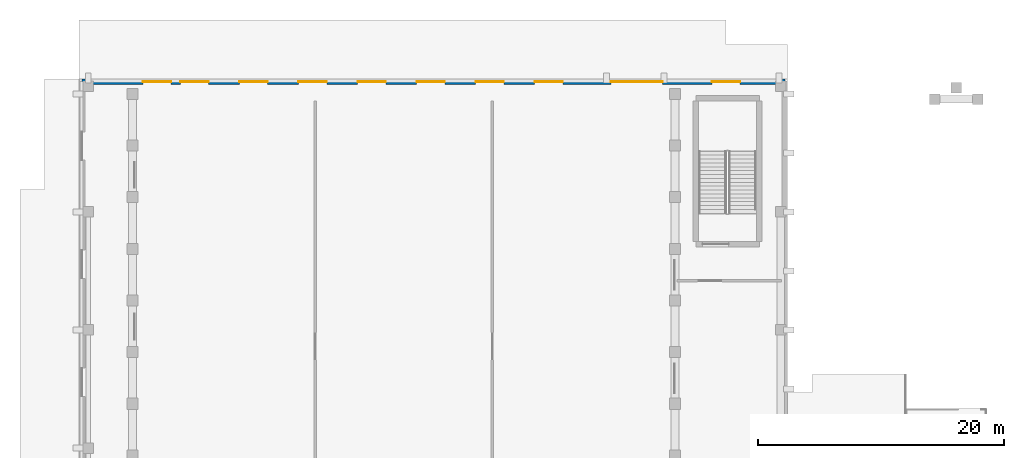
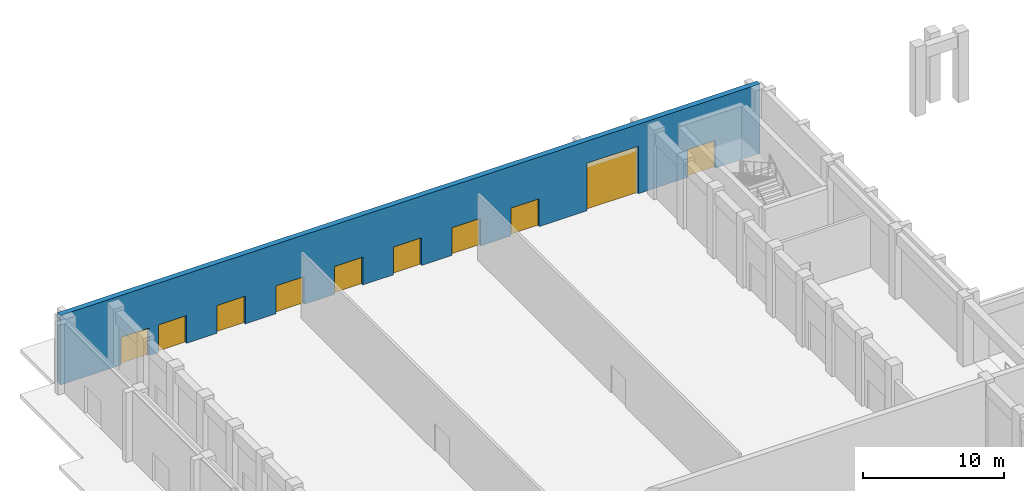
# One storey, part 51 of 87: 10 doors, 1 wall, 10 openings.
"""IFC4 building model written with IfcOpenShell, lengths in metres."""

from ifc_helpers import new_model, si_unit, direction, frame, frame_2d, origin, place, context, subcontext, project, spatial, rectangle, extrude, material, layer, layer_set, type_object, element, fill, save


model = new_model("IFC4")

# Units and contexts
model_context = context("Model", 3, precision=1e-05, world=origin(), true_north=direction((0.0, 1.0)))
body_context = subcontext(model_context, "Body", "Model", "MODEL_VIEW")
ifc_project = project(units=[si_unit("LENGTHUNIT", "METRE"), si_unit("AREAUNIT", "SQUARE_METRE"), si_unit("VOLUMEUNIT", "CUBIC_METRE"), si_unit("PLANEANGLEUNIT", "RADIAN"), si_unit("MASSUNIT", "GRAM", prefix="KILO")], contexts=[model_context])

# Site, building, storey
site_placement = place(None, origin())
site = spatial("IfcSite", under=ifc_project, at=site_placement, CompositionType="ELEMENT")
building_placement = place(site_placement, origin())
building = spatial("IfcBuilding", under=site, at=building_placement, Name="Nakhvara Creek Congress Hotel", CompositionType="ELEMENT")
storey_placement = place(building_placement, origin())
storey = spatial("IfcBuildingStorey", under=building, at=storey_placement, Name="L00", CompositionType="ELEMENT", Elevation=0.0)

# Wall, openings, doors
ifc_material_1 = material(Name="Honed pale Omani limestone cladding", Category="masonry")
ifc_layer_1 = layer(ifc_material_1, 0.050048828125)
ifc_material_2 = material(Name="Mineral wool thermal insulation")
ifc_layer_2 = layer(ifc_material_2, 0.110107421875)
ifc_material_3 = material(Name="Precast concrete C40/50", Category="concrete")
ifc_layer_3 = layer(ifc_material_3, 0.280029296875)
ifc_layer_set = layer_set([ifc_layer_1, ifc_layer_2, ifc_layer_3], Name="Precast concrete C40/50")
wall_type = type_object("IfcWallType", Name="W-BALL-440", PredefinedType="SOLIDWALL", material=ifc_layer_set)
wall_placement = place(storey_placement, frame((0.239990234375, 125.780029296875, 0.0), z_axis=(0.0, 0.0, 1.0), x_axis=(1.0, 0.0, 0.0)))
wall = element("IfcWall", 1, at=wall_placement, inside=storey, type_object=wall_type, Name="Exterior Wall WE02-EW-L00-0025", PredefinedType="SOLIDWALL", context=body_context, shape_type="SweptSolid", body=[
    extrude(rectangle(XDim=57.139892578125, YDim=0.43994140625, at=frame_2d((28.56982421875, 0.0))), origin(), (0.0, 0.0, 1.0), 6.0),
])
opening_1_placement = place(wall_placement, frame((4.949951171875, 0.0, 0.0)))
opening_1 = element("IfcOpeningElement", 2, at=opening_1_placement, cuts=wall, Name="Opening E12", PredefinedType="OPENING", context=body_context, shape_type="SweptSolid", body=[
    extrude(rectangle(XDim=2.300048828125, YDim=2.39990234375, at=frame_2d((1.14990234375, 1.199951171875))), frame((0.0, 0.23193359375, 0.0), z_axis=(0.0, -1.0, 0.0), x_axis=(1.0, 0.0, 0.0)), (0.0, 0.0, 1.0), 0.4638671875),
])
opening_2_placement = place(wall_placement, frame((8.0, 0.0, 0.0)))
opening_2 = element("IfcOpeningElement", 3, at=opening_2_placement, cuts=wall, Name="Opening E13", PredefinedType="OPENING", context=body_context, shape_type="SweptSolid", body=[
    extrude(rectangle(XDim=2.300048828125, YDim=2.39990234375, at=frame_2d((1.14990234375, 1.199951171875))), frame((0.0, 0.23193359375, 0.0), z_axis=(0.0, -1.0, 0.0), x_axis=(1.0, 0.0, 0.0)), (0.0, 0.0, 1.0), 0.4638671875),
])
opening_3_placement = place(wall_placement, frame((12.800048828125, 0.0, 0.0)))
opening_3 = element("IfcOpeningElement", 4, at=opening_3_placement, cuts=wall, Name="Opening E14", PredefinedType="OPENING", context=body_context, shape_type="SweptSolid", body=[
    extrude(rectangle(XDim=2.300048828125, YDim=2.39990234375, at=frame_2d((1.14990234375, 1.199951171875))), frame((0.0, 0.23193359375, 0.0), z_axis=(0.0, -1.0, 0.0), x_axis=(1.0, 0.0, 0.0)), (0.0, 0.0, 1.0), 0.4638671875),
])
opening_4_placement = place(wall_placement, frame((17.60009765625, 0.0, 0.0)))
opening_4 = element("IfcOpeningElement", 5, at=opening_4_placement, cuts=wall, Name="Opening E15", PredefinedType="OPENING", context=body_context, shape_type="SweptSolid", body=[
    extrude(rectangle(XDim=2.300048828125, YDim=2.39990234375, at=frame_2d((1.14990234375, 1.199951171875))), frame((0.0, 0.23193359375, 0.0), z_axis=(0.0, -1.0, 0.0), x_axis=(1.0, 0.0, 0.0)), (0.0, 0.0, 1.0), 0.4638671875),
])
opening_5_placement = place(wall_placement, frame((22.39990234375, 0.0, 0.0)))
opening_5 = element("IfcOpeningElement", 6, at=opening_5_placement, cuts=wall, Name="Opening E16", PredefinedType="OPENING", context=body_context, shape_type="SweptSolid", body=[
    extrude(rectangle(XDim=2.300048828125, YDim=2.39990234375, at=frame_2d((1.14990234375, 1.199951171875))), frame((0.0, 0.23193359375, 0.0), z_axis=(0.0, -1.0, 0.0), x_axis=(1.0, 0.0, 0.0)), (0.0, 0.0, 1.0), 0.4638671875),
])
opening_6_placement = place(wall_placement, frame((27.199951171875, 0.0, 0.0)))
opening_6 = element("IfcOpeningElement", 7, at=opening_6_placement, cuts=wall, Name="Opening E17", PredefinedType="OPENING", context=body_context, shape_type="SweptSolid", body=[
    extrude(rectangle(XDim=2.300048828125, YDim=2.39990234375, at=frame_2d((1.14990234375, 1.199951171875))), frame((0.0, 0.23193359375, 0.0), z_axis=(0.0, -1.0, 0.0), x_axis=(1.0, 0.0, 0.0)), (0.0, 0.0, 1.0), 0.4638671875),
])
opening_7_placement = place(wall_placement, frame((32.0, 0.0, 0.0)))
opening_7 = element("IfcOpeningElement", 8, at=opening_7_placement, cuts=wall, Name="Opening E18", PredefinedType="OPENING", context=body_context, shape_type="SweptSolid", body=[
    extrude(rectangle(XDim=2.300048828125, YDim=2.39990234375, at=frame_2d((1.14990234375, 1.199951171875))), frame((0.0, 0.23193359375, 0.0), z_axis=(0.0, -1.0, 0.0), x_axis=(1.0, 0.0, 0.0)), (0.0, 0.0, 1.0), 0.4638671875),
])
opening_8_placement = place(wall_placement, frame((36.800048828125, 0.0, 0.0)))
opening_8 = element("IfcOpeningElement", 9, at=opening_8_placement, cuts=wall, Name="Opening E19", PredefinedType="OPENING", context=body_context, shape_type="SweptSolid", body=[
    extrude(rectangle(XDim=2.300048828125, YDim=2.39990234375, at=frame_2d((1.14990234375, 1.199951171875))), frame((0.0, 0.23193359375, 0.0), z_axis=(0.0, -1.0, 0.0), x_axis=(1.0, 0.0, 0.0)), (0.0, 0.0, 1.0), 0.4638671875),
])
opening_9_placement = place(wall_placement, frame((51.199951171875, 0.0, 0.0)))
opening_9 = element("IfcOpeningElement", 10, at=opening_9_placement, cuts=wall, Name="Opening E20", PredefinedType="OPENING", context=body_context, shape_type="SweptSolid", body=[
    extrude(rectangle(XDim=2.300048828125, YDim=2.39990234375, at=frame_2d((1.14990234375, 1.199951171875))), frame((0.0, 0.23193359375, 0.0), z_axis=(0.0, -1.0, 0.0), x_axis=(1.0, 0.0, 0.0)), (0.0, 0.0, 1.0), 0.4638671875),
])
opening_10_placement = place(wall_placement, frame((43.0, 0.0, 0.0)))
opening_10 = element("IfcOpeningElement", 11, at=opening_10_placement, cuts=wall, Name="Opening VD02", PredefinedType="OPENING", context=body_context, shape_type="SweptSolid", body=[
    extrude(rectangle(XDim=4.199951171875, YDim=4.10009765625, at=frame_2d((2.10009765625, 2.050048828125))), frame((0.0, 0.23193359375, 0.0), z_axis=(0.0, -1.0, 0.0), x_axis=(1.0, 0.0, 0.0)), (0.0, 0.0, 1.0), 0.4638671875),
])
ifc_material_4 = material(Name="Bronze-anodised aluminium and laminated low-E glass", Category="aluminium")
door_type_1 = type_object("IfcDoorType", Name="DT-EXT-E230", OperationType="DOUBLE_DOOR_SINGLE_SWING", PredefinedType="DOOR", material=ifc_material_4)
door_1_placement = place(opening_1_placement, origin())
door_1 = element("IfcDoor", 12, at=door_1_placement, inside=storey, type_object=door_type_1, Name="Main Final Exit E12", OperationType="DOUBLE_DOOR_SINGLE_SWING", OverallHeight=2.39990234375, OverallWidth=2.300048828125, PredefinedType="DOOR", context=body_context, shape_type="SweptSolid", body=[
    extrude(rectangle(XDim=2.300048828125, YDim=2.39990234375, at=frame_2d((1.14990234375, 1.199951171875))), frame((0.0, 0.02490234375, 0.0), z_axis=(0.0, -1.0, 0.0), x_axis=(1.0, 0.0, 0.0)), (0.0, 0.0, 1.0), 0.050048828125),
])
fill(opening_1, door_1)
door_2_placement = place(opening_2_placement, origin())
door_2 = element("IfcDoor", 13, at=door_2_placement, inside=storey, type_object=door_type_1, Name="Main Final Exit E13", OperationType="DOUBLE_DOOR_SINGLE_SWING", OverallHeight=2.39990234375, OverallWidth=2.300048828125, PredefinedType="DOOR", context=body_context, shape_type="SweptSolid", body=[
    extrude(rectangle(XDim=2.300048828125, YDim=2.39990234375, at=frame_2d((1.14990234375, 1.199951171875))), frame((0.0, 0.02490234375, 0.0), z_axis=(0.0, -1.0, 0.0), x_axis=(1.0, 0.0, 0.0)), (0.0, 0.0, 1.0), 0.050048828125),
])
fill(opening_2, door_2)
door_3_placement = place(opening_3_placement, origin())
door_3 = element("IfcDoor", 14, at=door_3_placement, inside=storey, type_object=door_type_1, Name="Main Final Exit E14", OperationType="DOUBLE_DOOR_SINGLE_SWING", OverallHeight=2.39990234375, OverallWidth=2.300048828125, PredefinedType="DOOR", context=body_context, shape_type="SweptSolid", body=[
    extrude(rectangle(XDim=2.300048828125, YDim=2.39990234375, at=frame_2d((1.14990234375, 1.199951171875))), frame((0.0, 0.02490234375, 0.0), z_axis=(0.0, -1.0, 0.0), x_axis=(1.0, 0.0, 0.0)), (0.0, 0.0, 1.0), 0.050048828125),
])
fill(opening_3, door_3)
door_4_placement = place(opening_4_placement, origin())
door_4 = element("IfcDoor", 15, at=door_4_placement, inside=storey, type_object=door_type_1, Name="Main Final Exit E15", OperationType="DOUBLE_DOOR_SINGLE_SWING", OverallHeight=2.39990234375, OverallWidth=2.300048828125, PredefinedType="DOOR", context=body_context, shape_type="SweptSolid", body=[
    extrude(rectangle(XDim=2.300048828125, YDim=2.39990234375, at=frame_2d((1.14990234375, 1.199951171875))), frame((0.0, 0.02490234375, 0.0), z_axis=(0.0, -1.0, 0.0), x_axis=(1.0, 0.0, 0.0)), (0.0, 0.0, 1.0), 0.050048828125),
])
fill(opening_4, door_4)
door_5_placement = place(opening_5_placement, origin())
door_5 = element("IfcDoor", 16, at=door_5_placement, inside=storey, type_object=door_type_1, Name="Main Final Exit E16", OperationType="DOUBLE_DOOR_SINGLE_SWING", OverallHeight=2.39990234375, OverallWidth=2.300048828125, PredefinedType="DOOR", context=body_context, shape_type="SweptSolid", body=[
    extrude(rectangle(XDim=2.300048828125, YDim=2.39990234375, at=frame_2d((1.14990234375, 1.199951171875))), frame((0.0, 0.02490234375, 0.0), z_axis=(0.0, -1.0, 0.0), x_axis=(1.0, 0.0, 0.0)), (0.0, 0.0, 1.0), 0.050048828125),
])
fill(opening_5, door_5)
door_6_placement = place(opening_6_placement, origin())
door_6 = element("IfcDoor", 17, at=door_6_placement, inside=storey, type_object=door_type_1, Name="Main Final Exit E17", OperationType="DOUBLE_DOOR_SINGLE_SWING", OverallHeight=2.39990234375, OverallWidth=2.300048828125, PredefinedType="DOOR", context=body_context, shape_type="SweptSolid", body=[
    extrude(rectangle(XDim=2.300048828125, YDim=2.39990234375, at=frame_2d((1.14990234375, 1.199951171875))), frame((0.0, 0.02490234375, 0.0), z_axis=(0.0, -1.0, 0.0), x_axis=(1.0, 0.0, 0.0)), (0.0, 0.0, 1.0), 0.050048828125),
])
fill(opening_6, door_6)
door_7_placement = place(opening_7_placement, origin())
door_7 = element("IfcDoor", 18, at=door_7_placement, inside=storey, type_object=door_type_1, Name="Main Final Exit E18", OperationType="DOUBLE_DOOR_SINGLE_SWING", OverallHeight=2.39990234375, OverallWidth=2.300048828125, PredefinedType="DOOR", context=body_context, shape_type="SweptSolid", body=[
    extrude(rectangle(XDim=2.300048828125, YDim=2.39990234375, at=frame_2d((1.14990234375, 1.199951171875))), frame((0.0, 0.02490234375, 0.0), z_axis=(0.0, -1.0, 0.0), x_axis=(1.0, 0.0, 0.0)), (0.0, 0.0, 1.0), 0.050048828125),
])
fill(opening_7, door_7)
door_8_placement = place(opening_8_placement, origin())
door_8 = element("IfcDoor", 19, at=door_8_placement, inside=storey, type_object=door_type_1, Name="Main Final Exit E19", OperationType="DOUBLE_DOOR_SINGLE_SWING", OverallHeight=2.39990234375, OverallWidth=2.300048828125, PredefinedType="DOOR", context=body_context, shape_type="SweptSolid", body=[
    extrude(rectangle(XDim=2.300048828125, YDim=2.39990234375, at=frame_2d((1.14990234375, 1.199951171875))), frame((0.0, 0.02490234375, 0.0), z_axis=(0.0, -1.0, 0.0), x_axis=(1.0, 0.0, 0.0)), (0.0, 0.0, 1.0), 0.050048828125),
])
fill(opening_8, door_8)
door_9_placement = place(opening_9_placement, origin())
door_9 = element("IfcDoor", 20, at=door_9_placement, inside=storey, type_object=door_type_1, Name="Main Final Exit E20", OperationType="DOUBLE_DOOR_SINGLE_SWING", OverallHeight=2.39990234375, OverallWidth=2.300048828125, PredefinedType="DOOR", context=body_context, shape_type="SweptSolid", body=[
    extrude(rectangle(XDim=2.300048828125, YDim=2.39990234375, at=frame_2d((1.14990234375, 1.199951171875))), frame((0.0, 0.02490234375, 0.0), z_axis=(0.0, -1.0, 0.0), x_axis=(1.0, 0.0, 0.0)), (0.0, 0.0, 1.0), 0.050048828125),
])
fill(opening_9, door_9)
ifc_material_5 = material(Name="Insulated powder-coated steel loading bay shutter", Category="steel")
door_type_2 = type_object("IfcDoorType", Name="DT-EXT-LDK420", OperationType="ROLLINGUP", PredefinedType="DOOR", material=ifc_material_5)
door_10_placement = place(opening_10_placement, origin())
door_10 = element("IfcDoor", 21, at=door_10_placement, inside=storey, type_object=door_type_2, Name="Loading Dock Roller Shutter VD02", OperationType="ROLLINGUP", OverallHeight=4.10009765625, OverallWidth=4.199951171875, PredefinedType="DOOR", context=body_context, shape_type="SweptSolid", body=[
    extrude(rectangle(XDim=4.199951171875, YDim=4.10009765625, at=frame_2d((2.10009765625, 2.050048828125))), frame((0.0, 0.02490234375, 0.0), z_axis=(0.0, -1.0, 0.0), x_axis=(1.0, 0.0, 0.0)), (0.0, 0.0, 1.0), 0.050048828125),
])
fill(opening_10, door_10)

save(model, "model.ifc")
